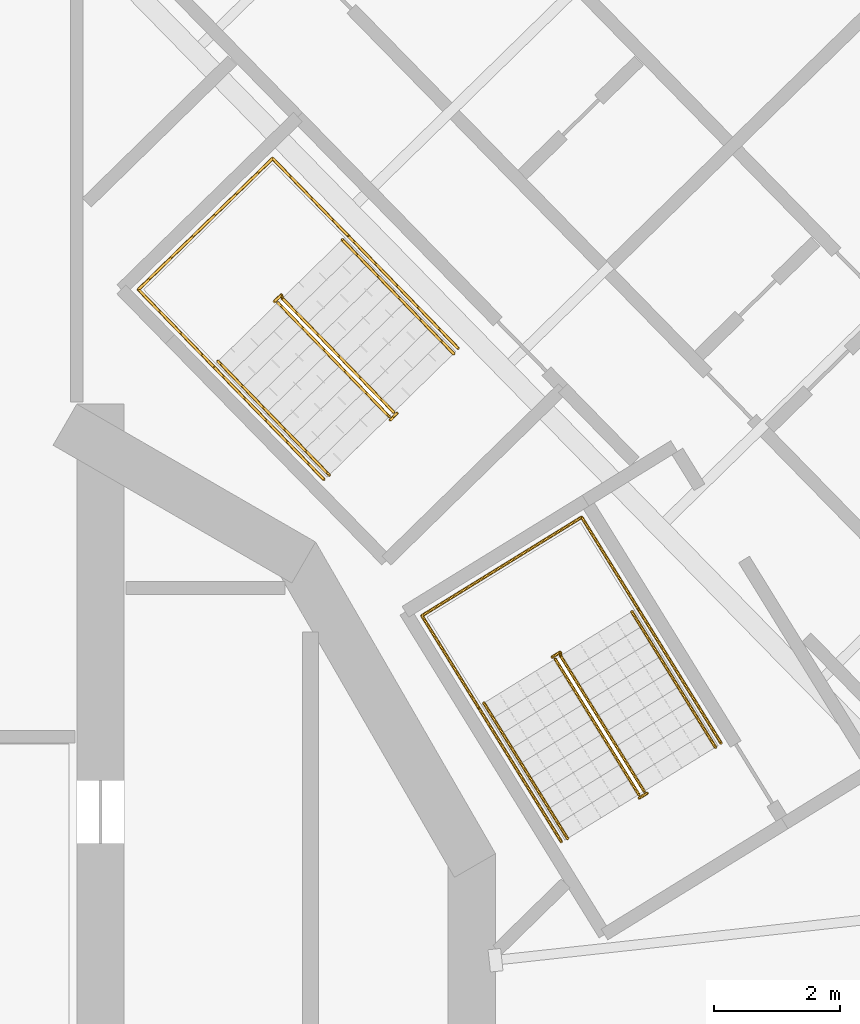
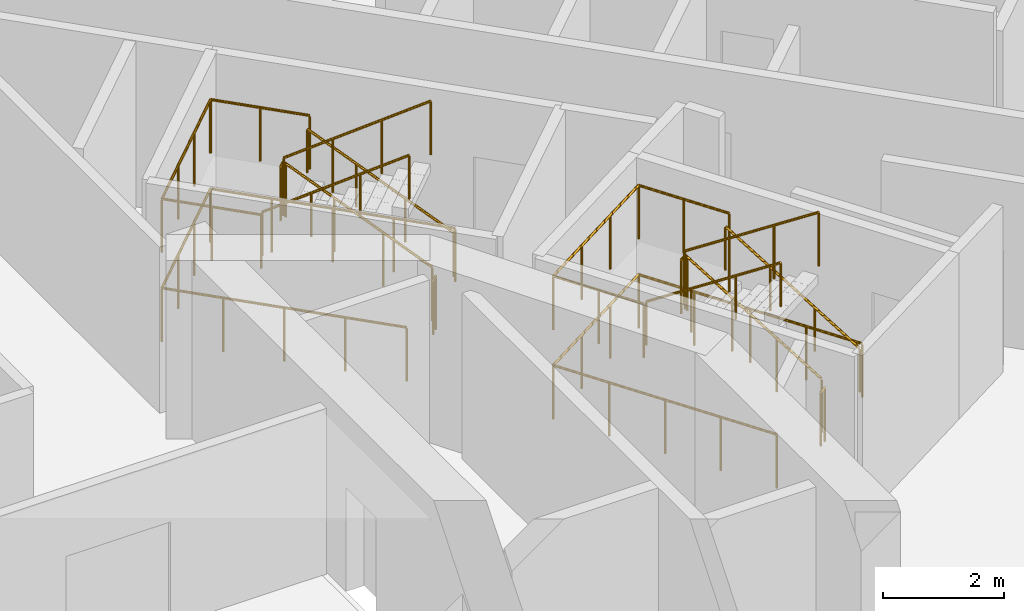
# One storey, part 15 of 17: 14 railings.
"""IFC4 building model written with IfcOpenShell, lengths in metres."""

import ifcopenshell
import ifcopenshell.guid

model = None  # the IFC model being written
_history = None  # IfcOwnerHistory: only IFC2X3 demands one
_inside = {}  # id of a spatial element -> (the spatial element, [elements in it])
_under = {}  # id of a project, library or spatial element -> (it, [spatial elements below it])
_declared = {}  # id of a project -> (the project, [libraries it declares])
_typed = {}  # id of a type object -> (the type object, [elements of that type])
_made_of = {}  # id of a material, layer set ... -> (it, [elements and type objects made of it])


def new_model(schema):
    """Start an empty IFC model of exactly this schema.

    Asked for "IFC4X3", IfcOpenShell would pick the latest addendum, in which some entities
    have other attributes; the version numbers below select the first issue.
    IFC2X3 requires an IfcOwnerHistory on every rooted entity: one is made here for all.
    """
    global model, _history
    if schema == "IFC4X3":
        model = ifcopenshell.file(schema_version=(4, 3, 0, 0))
    else:
        model = ifcopenshell.file(schema=schema)
    _inside.clear()
    _under.clear()
    _declared.clear()
    _typed.clear()
    _made_of.clear()
    _history = None
    if model.schema == "IFC2X3":
        org = make("IfcOrganization", Name="unknown")
        user = make(
            "IfcPersonAndOrganization",
            ThePerson=make("IfcPerson", FamilyName="unknown"),
            TheOrganization=org,
        )
        app = make(
            "IfcApplication",
            ApplicationDeveloper=org,
            Version="unknown",
            ApplicationFullName="unknown",
            ApplicationIdentifier="unknown",
        )
        _history = make(
            "IfcOwnerHistory",
            OwningUser=user,
            OwningApplication=app,
            ChangeAction="ADDED",
            CreationDate=0,
        )
    return model


def make(cls, **values):
    """One entity of the class cls with the attributes given. An attribute that is None is left unset."""
    return model.create_entity(
        cls, **{name: value for name, value in values.items() if value is not None}
    )


def rooted(cls, **values):
    """An entity with a GlobalId (a new one), such as an element, a storey or a relation."""
    return make(cls, GlobalId=ifcopenshell.guid.new(), OwnerHistory=_history, **values)


def si_unit(unit_type, name, prefix=None):
    """IfcSIUnit, for example si_unit("LENGTHUNIT", "METRE", prefix="MILLI")."""
    return make("IfcSIUnit", UnitType=unit_type, Prefix=prefix, Name=name)


def assignment(units):
    """IfcUnitAssignment: the units of a project."""
    return None if units is None else make("IfcUnitAssignment", Units=units)


def point(xyz):
    """IfcCartesianPoint."""
    return None if xyz is None else make("IfcCartesianPoint", Coordinates=xyz)


def direction(xyz):
    """IfcDirection."""
    return None if xyz is None else make("IfcDirection", DirectionRatios=xyz)


def frame(location, z_axis=None, x_axis=None):
    """IfcAxis2Placement3D, a coordinate frame: its origin and axes. An axis left out is left unset."""
    return make(
        "IfcAxis2Placement3D",
        Location=point(location),
        Axis=direction(z_axis),
        RefDirection=direction(x_axis),
    )


def frame_2d(location, x_axis=None):
    """IfcAxis2Placement2D, a coordinate frame in the plane: its origin and x axis."""
    return make(
        "IfcAxis2Placement2D", Location=point(location), RefDirection=direction(x_axis)
    )


def origin():
    """The frame at (0, 0, 0) with its axes left unset."""
    return frame((0.0, 0.0, 0.0))


def origin_2d():
    """The frame at (0, 0) in the plane with its x axis left unset."""
    return frame_2d((0.0, 0.0))


def place(relative_to, where):
    """IfcLocalPlacement: puts the frame where relative to a parent placement (None: the world)."""
    return make(
        "IfcLocalPlacement", PlacementRelTo=relative_to, RelativePlacement=where
    )


def context(
    kind, dimensions, precision=None, world=None, true_north=None, identifier=None
):
    """IfcGeometricRepresentationContext, for example the 3D "Model" context."""
    return make(
        "IfcGeometricRepresentationContext",
        ContextIdentifier=identifier,
        ContextType=kind,
        CoordinateSpaceDimension=dimensions,
        Precision=precision,
        WorldCoordinateSystem=world,
        TrueNorth=true_north,
    )


def subcontext(parent, identifier, kind, view, scale=None):
    """IfcGeometricRepresentationSubContext, for example "Body" below "Model"."""
    return make(
        "IfcGeometricRepresentationSubContext",
        ContextIdentifier=identifier,
        ContextType=kind,
        ParentContext=parent,
        TargetScale=scale,
        TargetView=view,
    )


def project(units=None, contexts=None):
    """IfcProject with its units and contexts."""
    return rooted(
        "IfcProject",
        Name="project",
        RepresentationContexts=contexts,
        UnitsInContext=assignment(units),
    )


def spatial(cls, under=None, at=None, **own):
    """A site, building, storey or space (cls), placed at a placement, below another one or the project."""
    s = rooted(cls, ObjectPlacement=at, **own)
    if under is not None:
        _under.setdefault(under.id(), (under, []))[1].append(s)
    return s


def profile(cls, at=None, kind="AREA", **sizes):
    """A parametric profile (cls). Its sizes go by their IFC names, for example OverallWidth=200.0."""
    return make(cls, ProfileType=kind, Position=at, **sizes)


def circle(**sizes):
    """IfcCircleProfileDef."""
    return profile("IfcCircleProfileDef", **sizes)


def extrude(swept, where, along, depth):
    """IfcExtrudedAreaSolid: the profile swept, set in the frame where, extruded along a direction by depth."""
    return make(
        "IfcExtrudedAreaSolid",
        SweptArea=swept,
        Position=where,
        ExtrudedDirection=direction(along),
        Depth=depth,
    )


def shape(context_of_items, identifier, shape_type, items):
    """IfcShapeRepresentation: the items that make up one representation, for example the "Body"."""
    return make(
        "IfcShapeRepresentation",
        ContextOfItems=context_of_items,
        RepresentationIdentifier=identifier,
        RepresentationType=shape_type,
        Items=items,
    )


def material(Name=None, Category=None):
    """IfcMaterial."""
    return make("IfcMaterial", Name=Name, Category=Category)


def made_of(thing, what):
    """Note that an element or type object is made of a material, layer set ...; save() writes the relation."""
    if what is not None:
        _made_of.setdefault(what.id(), (what, []))[1].append(thing)
    return thing


def type_object(cls, material=None, **own):
    """A type object (cls), such as IfcWallType, which elements share."""
    return made_of(rooted(cls, **own), material)


def element(
    cls,
    number,
    at=None,
    inside=None,
    cuts=None,
    type_object=None,
    material=None,
    context=None,
    identifier="Body",
    shape_type=None,
    held_by="IfcProductDefinitionShape",
    body=None,
    shapes=None,
    **own,
):
    """One element of the class cls, such as IfcWall. Its Tag is "e" and its number.

    at: its placement. inside: the storey or other place that contains it. cuts: it is an
    opening in that element (IfcRelVoidsElement). A single representation is given by context,
    identifier, shape_type and body (its items); several are given by shapes. held_by: the class
    of the entity that holds the representations. save() writes the other relations.
    """
    e = rooted(cls, Tag="e%d" % number, ObjectPlacement=at, **own)
    if body is not None:
        shapes = [shape(context, identifier, shape_type, body)]
    if shapes is not None:
        e.Representation = make(held_by, Representations=shapes)
    if inside is not None:
        _inside.setdefault(inside.id(), (inside, []))[1].append(e)
    if cuts is not None:
        rooted(
            "IfcRelVoidsElement", RelatingBuildingElement=cuts, RelatedOpeningElement=e
        )
    if type_object is not None:
        _typed.setdefault(type_object.id(), (type_object, []))[1].append(e)
    return made_of(e, material)


def aggregate(whole, parts):
    """IfcRelAggregates: a whole, such as a stair, and the parts it consists of."""
    return rooted("IfcRelAggregates", RelatingObject=whole, RelatedObjects=parts)


def save(model, path):
    """Write the relations noted so far, then the file.

    IfcRelAggregates (storeys below a building ...), IfcRelContainedInSpatialStructure (elements
    in a storey), IfcRelDefinesByType, IfcRelAssociatesMaterial and IfcRelDeclares: one each for
    every whole, place, type object, material and project.
    """
    for whole, parts in _under.values():
        aggregate(whole, parts)
    for where, things in _inside.values():
        rooted(
            "IfcRelContainedInSpatialStructure",
            RelatedElements=things,
            RelatingStructure=where,
        )
    for kind, things in _typed.values():
        rooted("IfcRelDefinesByType", RelatedObjects=things, RelatingType=kind)
    for what, things in _made_of.values():
        rooted("IfcRelAssociatesMaterial", RelatedObjects=things, RelatingMaterial=what)
    for by, libraries in _declared.values():
        rooted("IfcRelDeclares", RelatingContext=by, RelatedDefinitions=libraries)
    model.write(path)


model = new_model("IFC4")

# Units and contexts
model_context = context("Model", 3, precision=1e-05, world=origin(), true_north=direction((0.0, 1.0)))
body_context = subcontext(model_context, "Body", "Model", "MODEL_VIEW")
ifc_project = project(units=[si_unit("LENGTHUNIT", "METRE"), si_unit("AREAUNIT", "SQUARE_METRE"), si_unit("VOLUMEUNIT", "CUBIC_METRE"), si_unit("PLANEANGLEUNIT", "RADIAN"), si_unit("MASSUNIT", "GRAM", prefix="KILO")], contexts=[model_context])

# Site, building, storey
site_placement = place(None, origin())
site = spatial("IfcSite", under=ifc_project, at=site_placement, CompositionType="ELEMENT")
building_placement = place(site_placement, origin())
building = spatial("IfcBuilding", under=site, at=building_placement, Name="Cantera Rosa Tower", CompositionType="ELEMENT")
storey_placement = place(building_placement, frame((0.0, 0.0, 227.0)))
storey = spatial("IfcBuildingStorey", under=building, at=storey_placement, Name="L49", CompositionType="ELEMENT", Elevation=227.0)

# Railings
ifc_material_1 = material(Name="Steel S355J2 (EN 10025-2)", Category="steel")
railing_type_1 = type_object("IfcRailingType", Name="STAIR GUARD 1100", PredefinedType="GUARDRAIL", material=ifc_material_1)
railing_1_placement = place(storey_placement, frame((12.9765625, 3.834228515625, 0.179931640625)))
element("IfcRailing", 1, at=railing_1_placement, inside=storey, type_object=railing_type_1, Name="L49 ST-41 stair guard 1", PredefinedType="GUARDRAIL", context=body_context, shape_type="SweptSolid", body=[
    extrude(circle(Radius=0.02392578125, at=origin_2d()), frame((0.0, 0.0, 1.076171875), z_axis=(-0.44154346381, 0.715939337315, 0.540805172729), x_axis=(-0.851145618652, -0.524929648476, 0.0)), (0.0, 0.0, 1.0), 2.995849609375),
    extrude(circle(Radius=0.02392578125, at=origin_2d()), frame((-1.32275390625, 2.144775390625, 2.6962890625), z_axis=(-0.073711968402, 0.997279572494, 0.0), x_axis=(-0.997279572494, -0.073711968402, 0.0)), (0.0, 0.0, 1.0), 0.056396484375),
    extrude(circle(Radius=0.02392578125, at=origin_2d()), frame((-1.326904296875, 2.200927734375, 2.6962890625), z_axis=(-0.851546489876, -0.524279100842, 0.0), x_axis=(0.524279100842, -0.851546489876, 0.0)), (0.0, 0.0, 1.0), 0.14990234375),
    extrude(circle(Radius=0.02099609375, at=origin_2d()), origin(), (0.0, 0.0, 1.0), 1.052001953125),
    extrude(circle(Radius=0.02099609375, at=origin_2d()), frame((-0.44091796875, 0.71484375, 0.5400390625)), (0.0, 0.0, 1.0), 1.052001953125),
    extrude(circle(Radius=0.02099609375, at=origin_2d()), frame((-0.8818359375, 1.429931640625, 1.080078125)), (0.0, 0.0, 1.0), 1.052001953125),
    extrude(circle(Radius=0.02099609375, at=origin_2d()), frame((-1.32275390625, 2.144775390625, 1.6201171875)), (0.0, 0.0, 1.0), 1.052001953125),
    extrude(circle(Radius=0.02099609375, at=origin_2d()), frame((-1.326904296875, 2.200927734375, 1.6201171875)), (0.0, 0.0, 1.0), 1.052001953125),
    extrude(circle(Radius=0.02099609375, at=origin_2d()), frame((-1.45458984375, 2.122314453125, 1.6201171875)), (0.0, 0.0, 1.0), 1.052001953125),
])
railing_2_placement = place(storey_placement, frame((11.5703125, 5.927490234375, 1.97998046875)))
element("IfcRailing", 2, at=railing_2_placement, inside=storey, type_object=railing_type_1, Name="L49 ST-41 stair guard 2", PredefinedType="GUARDRAIL", context=body_context, shape_type="SweptSolid", body=[
    extrude(circle(Radius=0.02392578125, at=origin_2d()), frame((0.0, 0.0, 1.076171875), z_axis=(0.441609067481, -0.715913574058, 0.540785711718), x_axis=(0.851102330005, 0.524999832248, 0.0)), (0.0, 0.0, 1.0), 2.995849609375),
    extrude(circle(Radius=0.02099609375, at=origin_2d()), origin(), (0.0, 0.0, 1.0), 1.052001953125),
    extrude(circle(Radius=0.02099609375, at=origin_2d()), frame((0.44091796875, -0.71484375, 0.5400390625)), (0.0, 0.0, 1.0), 1.052001953125),
    extrude(circle(Radius=0.02099609375, at=origin_2d()), frame((0.882080078125, -1.429931640625, 1.080078125)), (0.0, 0.0, 1.0), 1.052001953125),
    extrude(circle(Radius=0.02099609375, at=origin_2d()), frame((1.322998046875, -2.144775390625, 1.6201171875)), (0.0, 0.0, 1.0), 1.052001953125),
])
railing_3_placement = place(storey_placement, frame((13.025146484375, 3.80517578125, 0.0)))
element("IfcRailing", 3, at=railing_3_placement, inside=storey, type_object=railing_type_1, Name="L49 ST-41 stair guard 3", PredefinedType="GUARDRAIL", context=body_context, shape_type="SweptSolid", body=[
    extrude(circle(Radius=0.02392578125, at=origin_2d()), frame((0.0, 0.0, 1.076171875), z_axis=(-0.851546489876, -0.524279100842, 0.0), x_axis=(0.524279100842, -0.851546489876, 0.0)), (0.0, 0.0, 1.0), 0.14990234375),
    extrude(circle(Radius=0.02099609375, at=origin_2d()), origin(), (0.0, 0.0, 1.0), 1.052001953125),
    extrude(circle(Radius=0.02099609375, at=origin_2d()), frame((-0.127685546875, -0.07861328125, 0.0)), (0.0, 0.0, 1.0), 1.052001953125),
])
railing_4_placement = place(storey_placement, frame((14.192626953125, 4.59814453125, 0.0)))
element("IfcRailing", 4, at=railing_4_placement, inside=storey, type_object=railing_type_1, Name="L49 ST-41 stair guard 4", PredefinedType="GUARDRAIL", context=body_context, shape_type="SweptSolid", body=[
    extrude(circle(Radius=0.02392578125, at=origin_2d()), frame((0.0, 0.0, 1.076171875), z_axis=(-0.524976478809, 0.851116735059, 0.0), x_axis=(-0.851116735059, -0.524976478809, 0.0)), (0.0, 0.0, 1.0), 4.197998046875),
    extrude(circle(Radius=0.02392578125, at=origin_2d()), frame((-2.203857421875, 3.572998046875, 1.076171875), z_axis=(-0.851132917336, -0.524950242429, 0.0), x_axis=(0.524950242429, -0.851132917336, 0.0)), (0.0, 0.0, 1.0), 2.969970703125),
    extrude(circle(Radius=0.02392578125, at=origin_2d()), frame((-4.731689453125, 2.013916015625, 1.076171875), z_axis=(0.524976478809, -0.851116735059, 0.0), x_axis=(0.851116735059, 0.524976478809, 0.0)), (0.0, 0.0, 1.0), 4.197998046875),
    extrude(circle(Radius=0.02099609375, at=origin_2d()), origin(), (0.0, 0.0, 1.0), 1.052001953125),
    extrude(circle(Radius=0.02099609375, at=origin_2d()), frame((-0.551025390625, 0.893310546875, 0.0)), (0.0, 0.0, 1.0), 1.052001953125),
    extrude(circle(Radius=0.02099609375, at=origin_2d()), frame((-1.10205078125, 1.78662109375, 0.0)), (0.0, 0.0, 1.0), 1.052001953125),
    extrude(circle(Radius=0.02099609375, at=origin_2d()), frame((-1.65283203125, 2.6796875, 0.0)), (0.0, 0.0, 1.0), 1.052001953125),
    extrude(circle(Radius=0.02099609375, at=origin_2d()), frame((-2.203857421875, 3.572998046875, 0.0)), (0.0, 0.0, 1.0), 1.052001953125),
    extrude(circle(Radius=0.02099609375, at=origin_2d()), frame((-3.04638671875, 3.05322265625, 0.0)), (0.0, 0.0, 1.0), 1.052001953125),
    extrude(circle(Radius=0.02099609375, at=origin_2d()), frame((-3.88916015625, 2.53369140625, 0.0)), (0.0, 0.0, 1.0), 1.052001953125),
    extrude(circle(Radius=0.02099609375, at=origin_2d()), frame((-4.731689453125, 2.013916015625, 0.0)), (0.0, 0.0, 1.0), 1.052001953125),
    extrude(circle(Radius=0.02099609375, at=origin_2d()), frame((-4.1806640625, 1.12060546875, 0.0)), (0.0, 0.0, 1.0), 1.052001953125),
    extrude(circle(Radius=0.02099609375, at=origin_2d()), frame((-3.6298828125, 0.2275390625, 0.0)), (0.0, 0.0, 1.0), 1.052001953125),
    extrude(circle(Radius=0.02099609375, at=origin_2d()), frame((-3.078857421875, -0.665771484375, 0.0)), (0.0, 0.0, 1.0), 1.052001953125),
    extrude(circle(Radius=0.02099609375, at=origin_2d()), frame((-2.52783203125, -1.55908203125, 0.0)), (0.0, 0.0, 1.0), 1.052001953125),
])
railing_5_placement = place(storey_placement, frame((12.88232421875, 6.72265625, 1.800048828125)))
element("IfcRailing", 5, at=railing_5_placement, inside=storey, type_object=railing_type_1, Name="L49 ST-41 stair guard 5", PredefinedType="GUARDRAIL", context=body_context, shape_type="SweptSolid", body=[
    extrude(circle(Radius=0.02392578125, at=origin_2d()), frame((0.0, 0.0, 1.076171875), z_axis=(-0.525025534833, 0.851086474909, 0.0), x_axis=(-0.851086474909, -0.525025534833, 0.0)), (0.0, 0.0, 1.0), 1.701904296875),
    extrude(circle(Radius=0.02392578125, at=origin_2d()), frame((-0.8935546875, 1.448486328125, 1.076171875), z_axis=(-0.851132917336, -0.524950242429, 0.0), x_axis=(0.524950242429, -0.851132917336, 0.0)), (0.0, 0.0, 1.0), 2.969970703125),
    extrude(circle(Radius=0.02392578125, at=origin_2d()), frame((-3.42138671875, -0.110595703125, 1.076171875), z_axis=(0.524961441845, -0.851126009811, 0.0), x_axis=(0.851126009811, 0.524961441845, 0.0)), (0.0, 0.0, 1.0), 1.7021484375),
    extrude(circle(Radius=0.02099609375, at=origin_2d()), origin(), (0.0, 0.0, 1.0), 1.052001953125),
    extrude(circle(Radius=0.02099609375, at=origin_2d()), frame((-0.44677734375, 0.72412109375, 0.0)), (0.0, 0.0, 1.0), 1.052001953125),
    extrude(circle(Radius=0.02099609375, at=origin_2d()), frame((-0.8935546875, 1.448486328125, 0.0)), (0.0, 0.0, 1.0), 1.052001953125),
    extrude(circle(Radius=0.02099609375, at=origin_2d()), frame((-1.736083984375, 0.9287109375, 0.0)), (0.0, 0.0, 1.0), 1.052001953125),
    extrude(circle(Radius=0.02099609375, at=origin_2d()), frame((-2.578857421875, 0.4091796875, 0.0)), (0.0, 0.0, 1.0), 1.052001953125),
    extrude(circle(Radius=0.02099609375, at=origin_2d()), frame((-3.42138671875, -0.110595703125, 0.0)), (0.0, 0.0, 1.0), 1.052001953125),
    extrude(circle(Radius=0.02099609375, at=origin_2d()), frame((-2.974609375, -0.8349609375, 0.0)), (0.0, 0.0, 1.0), 1.052001953125),
    extrude(circle(Radius=0.02099609375, at=origin_2d()), frame((-2.52783203125, -1.559326171875, 0.0)), (0.0, 0.0, 1.0), 1.052001953125),
])
railing_6_placement = place(storey_placement, frame((9.013427734375, 9.832763671875, 0.179931640625)))
element("IfcRailing", 6, at=railing_6_placement, inside=storey, type_object=railing_type_1, Name="L49 ST-42 stair guard 1", PredefinedType="GUARDRAIL", context=body_context, shape_type="SweptSolid", body=[
    extrude(circle(Radius=0.02392578125, at=origin_2d()), frame((0.0, 0.0, 1.076171875), z_axis=(-0.587818193466, 0.601672219931, 0.54079599776), x_axis=(-0.715293958342, -0.698823692472, 0.0)), (0.0, 0.0, 1.0), 2.995849609375),
    extrude(circle(Radius=0.02392578125, at=origin_2d()), frame((-1.760986328125, 1.802490234375, 2.6962890625), z_axis=(-0.290127576896, 0.956987977523, 0.0), x_axis=(-0.956987977523, -0.290127576896, 0.0)), (0.0, 0.0, 1.0), 0.056396484375),
    extrude(circle(Radius=0.02392578125, at=origin_2d()), frame((-1.77734375, 1.8564453125, 2.6962890625), z_axis=(-0.71600013962, -0.69810013613, 0.0), x_axis=(0.69810013613, -0.71600013962, 0.0)), (0.0, 0.0, 1.0), 0.150146484375),
    extrude(circle(Radius=0.02099609375, at=origin_2d()), origin(), (0.0, 0.0, 1.0), 1.052001953125),
    extrude(circle(Radius=0.02099609375, at=origin_2d()), frame((-0.5869140625, 0.600830078125, 0.5400390625)), (0.0, 0.0, 1.0), 1.052001953125),
    extrude(circle(Radius=0.02099609375, at=origin_2d()), frame((-1.174072265625, 1.20166015625, 1.080078125)), (0.0, 0.0, 1.0), 1.052001953125),
    extrude(circle(Radius=0.02099609375, at=origin_2d()), frame((-1.760986328125, 1.802490234375, 1.6201171875)), (0.0, 0.0, 1.0), 1.052001953125),
    extrude(circle(Radius=0.02099609375, at=origin_2d()), frame((-1.77734375, 1.8564453125, 1.6201171875)), (0.0, 0.0, 1.0), 1.052001953125),
    extrude(circle(Radius=0.02099609375, at=origin_2d()), frame((-1.884765625, 1.751708984375, 1.6201171875)), (0.0, 0.0, 1.0), 1.052001953125),
])
railing_7_placement = place(storey_placement, frame((7.182373046875, 11.56689453125, 1.97998046875)))
element("IfcRailing", 7, at=railing_7_placement, inside=storey, type_object=railing_type_1, Name="L49 ST-42 stair guard 2", PredefinedType="GUARDRAIL", context=body_context, shape_type="SweptSolid", body=[
    extrude(circle(Radius=0.02392578125, at=origin_2d()), frame((0.0, 0.0, 1.076171875), z_axis=(0.587818193466, -0.601672219931, 0.54079599776), x_axis=(0.715293958342, 0.698823692472, 0.0)), (0.0, 0.0, 1.0), 2.995849609375),
    extrude(circle(Radius=0.02099609375, at=origin_2d()), origin(), (0.0, 0.0, 1.0), 1.052001953125),
    extrude(circle(Radius=0.02099609375, at=origin_2d()), frame((0.5869140625, -0.600830078125, 0.5400390625)), (0.0, 0.0, 1.0), 1.052001953125),
    extrude(circle(Radius=0.02099609375, at=origin_2d()), frame((1.174072265625, -1.20166015625, 1.080078125)), (0.0, 0.0, 1.0), 1.052001953125),
    extrude(circle(Radius=0.02099609375, at=origin_2d()), frame((1.760986328125, -1.802490234375, 1.6201171875)), (0.0, 0.0, 1.0), 1.052001953125),
])
railing_8_placement = place(storey_placement, frame((9.06689453125, 9.815185546875, 0.0)))
element("IfcRailing", 8, at=railing_8_placement, inside=storey, type_object=railing_type_1, Name="L49 ST-42 stair guard 3", PredefinedType="GUARDRAIL", context=body_context, shape_type="SweptSolid", body=[
    extrude(circle(Radius=0.02392578125, at=origin_2d()), frame((0.0, 0.0, 1.076171875), z_axis=(-0.715205710557, -0.698914008722, 0.0), x_axis=(0.698914008722, -0.715205710557, 0.0)), (0.0, 0.0, 1.0), 0.14990234375),
    extrude(circle(Radius=0.02099609375, at=origin_2d()), origin(), (0.0, 0.0, 1.0), 1.052001953125),
    extrude(circle(Radius=0.02099609375, at=origin_2d()), frame((-0.107177734375, -0.104736328125, 0.0)), (0.0, 0.0, 1.0), 1.052001953125),
])
railing_9_placement = place(storey_placement, frame((10.0322265625, 10.844970703125, 0.0)))
element("IfcRailing", 9, at=railing_9_placement, inside=storey, type_object=railing_type_1, Name="L49 ST-42 stair guard 4", PredefinedType="GUARDRAIL", context=body_context, shape_type="SweptSolid", body=[
    extrude(circle(Radius=0.02392578125, at=origin_2d()), frame((0.0, 0.0, 1.076171875), z_axis=(-0.698859254364, 0.715259213566, 0.0), x_axis=(-0.715259213566, -0.698859254364, 0.0)), (0.0, 0.0, 1.0), 4.197998046875),
    extrude(circle(Radius=0.02392578125, at=origin_2d()), frame((-2.933837890625, 3.002685546875, 1.076171875), z_axis=(-0.715279654138, -0.698838333505, 0.0), x_axis=(0.698838333505, -0.715279654138, 0.0)), (0.0, 0.0, 1.0), 2.9697265625),
    extrude(circle(Radius=0.02392578125, at=origin_2d()), frame((-5.05810546875, 0.92724609375, 1.076171875), z_axis=(0.698829500247, -0.715288284249, 0.0), x_axis=(0.715288284249, 0.698829500247, 0.0)), (0.0, 0.0, 1.0), 4.19775390625),
    extrude(circle(Radius=0.02099609375, at=origin_2d()), origin(), (0.0, 0.0, 1.0), 1.052001953125),
    extrude(circle(Radius=0.02099609375, at=origin_2d()), frame((-0.7333984375, 0.750732421875, 0.0)), (0.0, 0.0, 1.0), 1.052001953125),
    extrude(circle(Radius=0.02099609375, at=origin_2d()), frame((-1.466796875, 1.50146484375, 0.0)), (0.0, 0.0, 1.0), 1.052001953125),
    extrude(circle(Radius=0.02099609375, at=origin_2d()), frame((-2.200439453125, 2.251953125, 0.0)), (0.0, 0.0, 1.0), 1.052001953125),
    extrude(circle(Radius=0.02099609375, at=origin_2d()), frame((-2.933837890625, 3.002685546875, 0.0)), (0.0, 0.0, 1.0), 1.052001953125),
    extrude(circle(Radius=0.02099609375, at=origin_2d()), frame((-3.641845703125, 2.310791015625, 0.0)), (0.0, 0.0, 1.0), 1.052001953125),
    extrude(circle(Radius=0.02099609375, at=origin_2d()), frame((-4.35009765625, 1.619140625, 0.0)), (0.0, 0.0, 1.0), 1.052001953125),
    extrude(circle(Radius=0.02099609375, at=origin_2d()), frame((-5.05810546875, 0.92724609375, 0.0)), (0.0, 0.0, 1.0), 1.052001953125),
    extrude(circle(Radius=0.02099609375, at=origin_2d()), frame((-4.32470703125, 0.176513671875, 0.0)), (0.0, 0.0, 1.0), 1.052001953125),
    extrude(circle(Radius=0.02099609375, at=origin_2d()), frame((-3.59130859375, -0.57421875, 0.0)), (0.0, 0.0, 1.0), 1.052001953125),
    extrude(circle(Radius=0.02099609375, at=origin_2d()), frame((-2.85791015625, -1.32470703125, 0.0)), (0.0, 0.0, 1.0), 1.052001953125),
    extrude(circle(Radius=0.02099609375, at=origin_2d()), frame((-2.12451171875, -2.075439453125, 0.0)), (0.0, 0.0, 1.0), 1.052001953125),
])
railing_10_placement = place(storey_placement, frame((8.287841796875, 12.63037109375, 1.800048828125)))
element("IfcRailing", 10, at=railing_10_placement, inside=storey, type_object=railing_type_1, Name="L49 ST-42 stair guard 5", PredefinedType="GUARDRAIL", context=body_context, shape_type="SweptSolid", body=[
    extrude(circle(Radius=0.02392578125, at=origin_2d()), frame((0.0, 0.0, 1.076171875), z_axis=(-0.698882919007, 0.715236090757, 0.0), x_axis=(-0.715236090757, -0.698882919007, 0.0)), (0.0, 0.0, 1.0), 1.701904296875),
    extrude(circle(Radius=0.02392578125, at=origin_2d()), frame((-1.189453125, 1.21728515625, 1.076171875), z_axis=(-0.715279654138, -0.698838333505, 0.0), x_axis=(0.698838333505, -0.715279654138, 0.0)), (0.0, 0.0, 1.0), 2.9697265625),
    extrude(circle(Radius=0.02392578125, at=origin_2d()), frame((-3.313720703125, -0.858154296875, 1.076171875), z_axis=(0.698811217595, -0.715306145761, 0.0), x_axis=(0.715306145761, 0.698811217595, 0.0)), (0.0, 0.0, 1.0), 1.7021484375),
    extrude(circle(Radius=0.02099609375, at=origin_2d()), origin(), (0.0, 0.0, 1.0), 1.052001953125),
    extrude(circle(Radius=0.02099609375, at=origin_2d()), frame((-0.5947265625, 0.608642578125, 0.0)), (0.0, 0.0, 1.0), 1.052001953125),
    extrude(circle(Radius=0.02099609375, at=origin_2d()), frame((-1.189453125, 1.21728515625, 0.0)), (0.0, 0.0, 1.0), 1.052001953125),
    extrude(circle(Radius=0.02099609375, at=origin_2d()), frame((-1.8974609375, 0.525390625, 0.0)), (0.0, 0.0, 1.0), 1.052001953125),
    extrude(circle(Radius=0.02099609375, at=origin_2d()), frame((-2.605712890625, -0.166259765625, 0.0)), (0.0, 0.0, 1.0), 1.052001953125),
    extrude(circle(Radius=0.02099609375, at=origin_2d()), frame((-3.313720703125, -0.858154296875, 0.0)), (0.0, 0.0, 1.0), 1.052001953125),
    extrude(circle(Radius=0.02099609375, at=origin_2d()), frame((-2.718994140625, -1.466796875, 0.0)), (0.0, 0.0, 1.0), 1.052001953125),
    extrude(circle(Radius=0.02099609375, at=origin_2d()), frame((-2.124267578125, -2.07568359375, 0.0)), (0.0, 0.0, 1.0), 1.052001953125),
])
ifc_material_2 = material(Name="Steel S355J2 (EN 10025-2)", Category="steel")
railing_type_2 = type_object("IfcRailingType", Name="STAIR HANDRAIL 900", PredefinedType="HANDRAIL", material=ifc_material_2)
railing_11_placement = place(storey_placement, frame((14.105224609375, 4.5302734375, 0.179931640625)))
element("IfcRailing", 11, at=railing_11_placement, inside=storey, type_object=railing_type_2, Name="L49 ST-41 stair handrail 1", PredefinedType="HANDRAIL", context=body_context, shape_type="SweptSolid", body=[
    extrude(circle(Radius=0.02392578125, at=origin_2d()), frame((0.0, 0.0, 0.8759765625), z_axis=(-0.441609067481, 0.715913574058, 0.540785711718), x_axis=(-0.851102330005, -0.524999832248, 0.0)), (0.0, 0.0, 1.0), 2.995849609375),
    extrude(circle(Radius=0.02099609375, at=origin_2d()), origin(), (0.0, 0.0, 1.0), 0.851806640625),
    extrude(circle(Radius=0.02099609375, at=origin_2d()), frame((-0.44091796875, 0.71484375, 0.5400390625)), (0.0, 0.0, 1.0), 0.851806640625),
    extrude(circle(Radius=0.02099609375, at=origin_2d()), frame((-0.882080078125, 1.429931640625, 1.080078125)), (0.0, 0.0, 1.0), 0.851806640625),
    extrude(circle(Radius=0.02099609375, at=origin_2d()), frame((-1.322998046875, 2.144775390625, 1.6201171875)), (0.0, 0.0, 1.0), 0.851806640625),
])
railing_12_placement = place(storey_placement, frame((10.441650390625, 5.2314453125, 1.97998046875)))
element("IfcRailing", 12, at=railing_12_placement, inside=storey, type_object=railing_type_2, Name="L49 ST-41 stair handrail 2", PredefinedType="HANDRAIL", context=body_context, shape_type="SweptSolid", body=[
    extrude(circle(Radius=0.02392578125, at=origin_2d()), frame((0.0, 0.0, 0.8759765625), z_axis=(0.441609067481, -0.715913574058, 0.540785711718), x_axis=(0.851102330005, 0.524999832248, 0.0)), (0.0, 0.0, 1.0), 2.995849609375),
    extrude(circle(Radius=0.02099609375, at=origin_2d()), origin(), (0.0, 0.0, 1.0), 0.851806640625),
    extrude(circle(Radius=0.02099609375, at=origin_2d()), frame((0.44091796875, -0.71484375, 0.5400390625)), (0.0, 0.0, 1.0), 0.851806640625),
    extrude(circle(Radius=0.02099609375, at=origin_2d()), frame((0.882080078125, -1.429931640625, 1.080078125)), (0.0, 0.0, 1.0), 0.851806640625),
    extrude(circle(Radius=0.02099609375, at=origin_2d()), frame((1.322998046875, -2.144775390625, 1.6201171875)), (0.0, 0.0, 1.0), 0.851806640625),
])
railing_13_placement = place(storey_placement, frame((9.9619140625, 10.759521484375, 0.179931640625)))
element("IfcRailing", 13, at=railing_13_placement, inside=storey, type_object=railing_type_2, Name="L49 ST-42 stair handrail 1", PredefinedType="HANDRAIL", context=body_context, shape_type="SweptSolid", body=[
    extrude(circle(Radius=0.02392578125, at=origin_2d()), frame((0.0, 0.0, 0.8759765625), z_axis=(-0.587818193466, 0.601672219931, 0.54079599776), x_axis=(-0.715293958342, -0.698823692472, 0.0)), (0.0, 0.0, 1.0), 2.995849609375),
    extrude(circle(Radius=0.02099609375, at=origin_2d()), origin(), (0.0, 0.0, 1.0), 0.851806640625),
    extrude(circle(Radius=0.02099609375, at=origin_2d()), frame((-0.5869140625, 0.600830078125, 0.5400390625)), (0.0, 0.0, 1.0), 0.851806640625),
    extrude(circle(Radius=0.02099609375, at=origin_2d()), frame((-1.174072265625, 1.20166015625, 1.080078125)), (0.0, 0.0, 1.0), 0.851806640625),
    extrude(circle(Radius=0.02099609375, at=origin_2d()), frame((-1.760986328125, 1.802490234375, 1.6201171875)), (0.0, 0.0, 1.0), 0.851806640625),
])
railing_14_placement = place(storey_placement, frame((6.23388671875, 10.64013671875, 1.97998046875)))
element("IfcRailing", 14, at=railing_14_placement, inside=storey, type_object=railing_type_2, Name="L49 ST-42 stair handrail 2", PredefinedType="HANDRAIL", context=body_context, shape_type="SweptSolid", body=[
    extrude(circle(Radius=0.02392578125, at=origin_2d()), frame((0.0, 0.0, 0.8759765625), z_axis=(0.587818193466, -0.601672219931, 0.54079599776), x_axis=(0.715293958342, 0.698823692472, 0.0)), (0.0, 0.0, 1.0), 2.995849609375),
    extrude(circle(Radius=0.02099609375, at=origin_2d()), origin(), (0.0, 0.0, 1.0), 0.851806640625),
    extrude(circle(Radius=0.02099609375, at=origin_2d()), frame((0.5869140625, -0.600830078125, 0.5400390625)), (0.0, 0.0, 1.0), 0.851806640625),
    extrude(circle(Radius=0.02099609375, at=origin_2d()), frame((1.174072265625, -1.20166015625, 1.080078125)), (0.0, 0.0, 1.0), 0.851806640625),
    extrude(circle(Radius=0.02099609375, at=origin_2d()), frame((1.760986328125, -1.802490234375, 1.6201171875)), (0.0, 0.0, 1.0), 0.851806640625),
])

save(model, "model.ifc")
